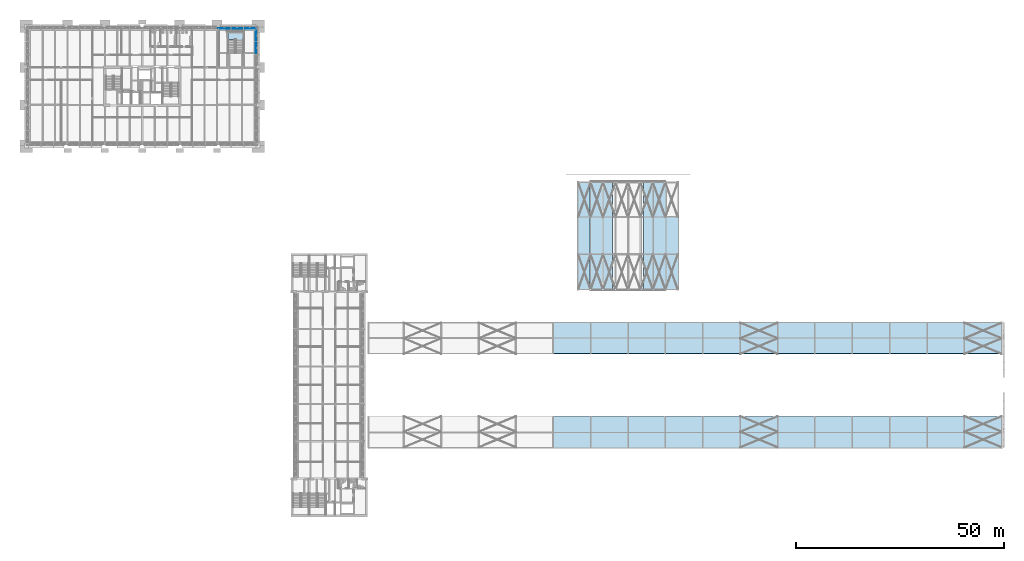
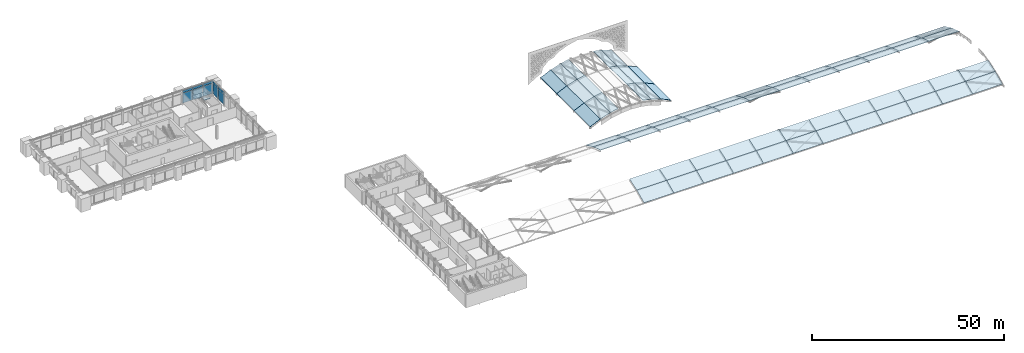
# One storey, part 20 of 54: 66 slabs, 10 plates, 3 elements without a shape of their own.
"""IFC4 building model written with IfcOpenShell, lengths in metres."""

from ifc_helpers import new_model, si_unit, direction, frame, origin, origin_2d, place, context, subcontext, project, spatial, polyline, rectangle, outline, extrude, material, layer, layer_set, type_object, element, aggregate, save


model = new_model("IFC4")

# Units and contexts
model_context = context("Model", 3, precision=1e-05, world=origin(), true_north=direction((0.0, 1.0)))
body_context = subcontext(model_context, "Body", "Model", "MODEL_VIEW")
ifc_project = project(units=[si_unit("LENGTHUNIT", "METRE"), si_unit("AREAUNIT", "SQUARE_METRE"), si_unit("VOLUMEUNIT", "CUBIC_METRE"), si_unit("PLANEANGLEUNIT", "RADIAN"), si_unit("MASSUNIT", "GRAM", prefix="KILO")], contexts=[model_context])

# Site, building, storey
site_placement = place(None, origin())
site = spatial("IfcSite", under=ifc_project, at=site_placement, CompositionType="ELEMENT")
building_placement = place(site_placement, origin())
building = spatial("IfcBuilding", under=site, at=building_placement, Name="Baradari Gate Terminus", CompositionType="ELEMENT")
storey_placement = place(building_placement, frame((0.0, 0.0, 15.89990234375)))
storey = spatial("IfcBuildingStorey", under=building, at=storey_placement, Name="L03", CompositionType="ELEMENT", Elevation=15.89990234375)

# Curtain wall, plates
ifc_material_1 = material(Name="Aluminium 6063-T6", Category="aluminium")
curtain_wall_type = type_object("IfcCurtainWallType", Name="Curtain wall CW-1 block unitised, zone L02-L05", PredefinedType="NOTDEFINED", material=ifc_material_1)
curtain_wall_1_placement = place(storey_placement, origin())
curtain_wall_1 = element("IfcCurtainWall", 1, at=curtain_wall_1_placement, inside=storey, type_object=curtain_wall_type, Name="Curtain wall CW-1 Operations block N face L03", PredefinedType="NOTDEFINED")
ifc_material_2 = material(Name="Insulating glass unit", Category="glass")
ifc_layer_1 = layer(ifc_material_2, 0.030029296875)
ifc_layer_set_1 = layer_set([ifc_layer_1], Name="Insulating glass unit")
plate_type_1 = type_object("IfcPlateType", Name="Curtain wall glazing unit CP-1 30", PredefinedType="CURTAIN_PANEL", material=ifc_layer_set_1)
plate_1_placement = place(storey_placement, frame((55.83935546875, 144.3701171875, 0.06494140625), z_axis=(0.0, 0.0, 1.0), x_axis=(1.0, 0.0, 0.0)))
plate_1 = element("IfcPlate", 2, at=plate_1_placement, type_object=plate_type_1, Name="CW-1 panel 16.1", PredefinedType="CURTAIN_PANEL", context=body_context, shape_type="SweptSolid", body=[
    extrude(rectangle(XDim=2.9873046875, YDim=0.030029296875, at=origin_2d()), origin(), (0.0, 0.0, 1.0), 3.202392578125),
])
plate_2_placement = place(storey_placement, frame((58.8916015625, 144.3701171875, 0.06494140625), z_axis=(0.0, 0.0, 1.0), x_axis=(1.0, 0.0, 0.0)))
plate_2 = element("IfcPlate", 3, at=plate_2_placement, type_object=plate_type_1, Name="CW-1 panel 17.1", PredefinedType="CURTAIN_PANEL", context=body_context, shape_type="SweptSolid", body=[
    extrude(rectangle(XDim=2.9873046875, YDim=0.030029296875, at=origin_2d()), origin(), (0.0, 0.0, 1.0), 3.202392578125),
])
plate_3_placement = place(storey_placement, frame((61.927734375, 144.3701171875, 0.06494140625), z_axis=(0.0, 0.0, 1.0), x_axis=(1.0, 0.0, 0.0)))
plate_3 = element("IfcPlate", 4, at=plate_3_placement, type_object=plate_type_1, Name="CW-1 panel 18.1", PredefinedType="CURTAIN_PANEL", context=body_context, shape_type="SweptSolid", body=[
    extrude(rectangle(XDim=2.954833984375, YDim=0.030029296875, at=origin_2d()), origin(), (0.0, 0.0, 1.0), 3.202392578125),
])

curtain_wall_2_placement = place(storey_placement, origin())
curtain_wall_2 = element("IfcCurtainWall", 5, at=curtain_wall_2_placement, inside=storey, type_object=curtain_wall_type, Name="Curtain wall CW-1 Operations block E face L03", PredefinedType="NOTDEFINED")
plate_4_placement = place(storey_placement, frame((63.3701171875, 139.679931640625, 0.06494140625), z_axis=(0.0, 0.0, 1.0), x_axis=(0.0, 1.0, 0.0)))
plate_4 = element("IfcPlate", 6, at=plate_4_placement, type_object=plate_type_1, Name="CW-1 panel 8.1", PredefinedType="CURTAIN_PANEL", context=body_context, shape_type="SweptSolid", body=[
    extrude(rectangle(XDim=2.9951171875, YDim=0.030029296875, at=origin_2d()), origin(), (0.0, 0.0, 1.0), 3.202392578125),
])
plate_5_placement = place(storey_placement, frame((63.3701171875, 142.7236328125, 0.06494140625), z_axis=(0.0, 0.0, 1.0), x_axis=(0.0, 1.0, 0.0)))
plate_5 = element("IfcPlate", 7, at=plate_5_placement, type_object=plate_type_1, Name="CW-1 panel 9.1", PredefinedType="CURTAIN_PANEL", context=body_context, shape_type="SweptSolid", body=[
    extrude(rectangle(XDim=2.96240234375, YDim=0.030029296875, at=origin_2d()), origin(), (0.0, 0.0, 1.0), 3.202392578125),
])

# Plate
ifc_material_3 = material(Name="Back-painted glass", Category="glass")
ifc_layer_2 = layer(ifc_material_3, 0.070068359375)
ifc_layer_set_2 = layer_set([ifc_layer_2], Name="Back-painted glass")
plate_type_2 = type_object("IfcPlateType", Name="Curtain wall spandrel panel CP-S1 70", PredefinedType="CURTAIN_PANEL", material=ifc_layer_set_2)
plate_6_placement = place(storey_placement, frame((55.83935546875, 144.3701171875, 3.33251953125), z_axis=(0.0, 0.0, 1.0), x_axis=(1.0, 0.0, 0.0)))
plate_6 = element("IfcPlate", 8, at=plate_6_placement, type_object=plate_type_2, Name="CW-1 spandrel panel 16.2", PredefinedType="CURTAIN_PANEL", context=body_context, shape_type="SweptSolid", body=[
    extrude(rectangle(XDim=2.9873046875, YDim=0.070068359375, at=origin_2d()), origin(), (0.0, 0.0, 1.0), 0.802490234375),
])

plate_7_placement = place(storey_placement, frame((58.8916015625, 144.3701171875, 3.33251953125), z_axis=(0.0, 0.0, 1.0), x_axis=(1.0, 0.0, 0.0)))
plate_7 = element("IfcPlate", 9, at=plate_7_placement, type_object=plate_type_2, Name="CW-1 spandrel panel 17.2", PredefinedType="CURTAIN_PANEL", context=body_context, shape_type="SweptSolid", body=[
    extrude(rectangle(XDim=2.9873046875, YDim=0.070068359375, at=origin_2d()), origin(), (0.0, 0.0, 1.0), 0.802490234375),
])

plate_8_placement = place(storey_placement, frame((61.927734375, 144.3701171875, 3.33251953125), z_axis=(0.0, 0.0, 1.0), x_axis=(1.0, 0.0, 0.0)))
plate_8 = element("IfcPlate", 10, at=plate_8_placement, type_object=plate_type_2, Name="CW-1 spandrel panel 18.2", PredefinedType="CURTAIN_PANEL", context=body_context, shape_type="SweptSolid", body=[
    extrude(rectangle(XDim=2.954833984375, YDim=0.070068359375, at=origin_2d()), origin(), (0.0, 0.0, 1.0), 0.802490234375),
])

aggregate(curtain_wall_1, [plate_1, plate_6, plate_2, plate_7, plate_3, plate_8])

plate_9_placement = place(storey_placement, frame((63.3701171875, 139.679931640625, 3.33251953125), z_axis=(0.0, 0.0, 1.0), x_axis=(0.0, 1.0, 0.0)))
plate_9 = element("IfcPlate", 11, at=plate_9_placement, type_object=plate_type_2, Name="CW-1 spandrel panel 8.2", PredefinedType="CURTAIN_PANEL", context=body_context, shape_type="SweptSolid", body=[
    extrude(rectangle(XDim=2.9951171875, YDim=0.070068359375, at=origin_2d()), origin(), (0.0, 0.0, 1.0), 0.802490234375),
])

plate_10_placement = place(storey_placement, frame((63.3701171875, 142.7236328125, 3.33251953125), z_axis=(0.0, 0.0, 1.0), x_axis=(0.0, 1.0, 0.0)))
plate_10 = element("IfcPlate", 12, at=plate_10_placement, type_object=plate_type_2, Name="CW-1 spandrel panel 9.2", PredefinedType="CURTAIN_PANEL", context=body_context, shape_type="SweptSolid", body=[
    extrude(rectangle(XDim=2.96240234375, YDim=0.070068359375, at=origin_2d()), origin(), (0.0, 0.0, 1.0), 0.802490234375),
])

aggregate(curtain_wall_2, [plate_4, plate_9, plate_5, plate_10])

# Slabs
ifc_material_4 = material(Name="Aluminium", Category="aluminium")
ifc_layer_3 = layer(ifc_material_4, 0.1201171875)
ifc_layer_set_3 = layer_set([ifc_layer_3], Name="Aluminium")
slab_type_1 = type_object("IfcSlabType", Name="Hall vault roof panel", PredefinedType="ROOF", material=ifc_layer_set_3)
slab_1_placement = place(storey_placement, frame((140.826416015625, 81.550048828125, 0.362548828125), z_axis=(-0.421483999312, 0.0, 0.906835838685), x_axis=(0.0, 1.0, 0.0)))
element("IfcSlab", 13, at=slab_1_placement, inside=storey, type_object=slab_type_1, Name="RF/L03/VR1-RP02", PredefinedType="ROOF", context=body_context, shape_type="SweptSolid", body=[
    extrude(outline(polyline([(0.0, 0.0), (8.449951171875, 0.0), (8.449951171875, -3.3485896390599805), (0.0, -3.3485896390599805), (0.0, 0.0)])), origin(), (0.0, 0.0, -1.0), 0.1201171875),
])
slab_2_placement = place(storey_placement, frame((143.863037109375, 81.550048828125, 1.77392578125), z_axis=(-0.315039265415, 0.0, 0.949078638073), x_axis=(0.0, 1.0, 0.0)))
element("IfcSlab", 14, at=slab_2_placement, inside=storey, type_object=slab_type_1, Name="RF/L03/VR1-RP03", PredefinedType="ROOF", context=body_context, shape_type="SweptSolid", body=[
    extrude(outline(polyline([(0.0, 0.0), (8.449951171875, 0.0), (8.449951171875, -3.2052056230829677), (0.0, -3.2052056230829677), (0.0, 0.0)])), origin(), (0.0, 0.0, -1.0), 0.1201171875),
])
for number, where, z_axis, x_axis, name in (
    (15, (146.905029296875, 81.550048828125, 2.78369140625), (-0.195240625719, 0.0, 0.980755371165), (0.0, 1.0, 0.0), "RF/L03/VR1-RP04"),
    (16, (156.72802734375, 81.550048828125, 3.2548828125), (0.195240625719, 0.0, 0.980755371165), (0.0, 1.0, 0.0), "RF/L03/VR1-RP07"),
):
    element("IfcSlab", number, at=place(storey_placement, frame(where, z_axis=z_axis, x_axis=x_axis)), inside=storey, type_object=slab_type_1, Name=name, PredefinedType="ROOF", context=body_context, shape_type="SweptSolid", body=[
        extrude(outline(polyline([(0.0, 0.0), (8.449951171875, 0.0), (8.449951171875, -2.4133881179398524), (0.0, -2.4133881179398524), (0.0, 0.0)])), origin(), (0.0, 0.0, -1.0), 0.1201171875),
    ])
slab_3_placement = place(storey_placement, frame((159.094970703125, 81.550048828125, 2.78369140625), z_axis=(0.315039265415, 0.0, 0.949078638073), x_axis=(0.0, 1.0, 0.0)))
element("IfcSlab", 17, at=slab_3_placement, inside=storey, type_object=slab_type_1, Name="RF/L03/VR1-RP08", PredefinedType="ROOF", context=body_context, shape_type="SweptSolid", body=[
    extrude(outline(polyline([(0.0, 0.0), (8.449951171875, 0.0), (8.449951171875, -3.2052056230829677), (0.0, -3.2052056230829677), (0.0, 0.0)])), origin(), (0.0, 0.0, -1.0), 0.1201171875),
])
slab_4_placement = place(storey_placement, frame((162.136962890625, 81.550048828125, 1.77392578125), z_axis=(0.421483999312, 0.0, 0.906835838685), x_axis=(0.0, 1.0, 0.0)))
element("IfcSlab", 18, at=slab_4_placement, inside=storey, type_object=slab_type_1, Name="RF/L03/VR1-RP09", PredefinedType="ROOF", context=body_context, shape_type="SweptSolid", body=[
    extrude(outline(polyline([(0.0, 0.0), (8.449951171875, 0.0), (8.449951171875, -3.3485896390599805), (0.0, -3.3485896390599805), (0.0, 0.0)])), origin(), (0.0, 0.0, -1.0), 0.1201171875),
])
slab_5_placement = place(storey_placement, frame((140.826416015625, 90.0, 0.362548828125), z_axis=(-0.421483999312, 0.0, 0.906835838685), x_axis=(0.0, 1.0, 0.0)))
element("IfcSlab", 19, at=slab_5_placement, inside=storey, type_object=slab_type_1, Name="RF/L03/VR2-RP02", PredefinedType="ROOF", context=body_context, shape_type="SweptSolid", body=[
    extrude(outline(polyline([(0.0, 0.0), (9.0, 0.0), (9.0, -3.3485896390599805), (0.0, -3.3485896390599805), (0.0, 0.0)])), origin(), (0.0, 0.0, -1.0), 0.1201171875),
])
slab_6_placement = place(storey_placement, frame((143.863037109375, 90.0, 1.77392578125), z_axis=(-0.315039265415, 0.0, 0.949078638073), x_axis=(0.0, 1.0, 0.0)))
element("IfcSlab", 20, at=slab_6_placement, inside=storey, type_object=slab_type_1, Name="RF/L03/VR2-RP03", PredefinedType="ROOF", context=body_context, shape_type="SweptSolid", body=[
    extrude(outline(polyline([(0.0, 0.0), (9.0, 0.0), (9.0, -3.2052056230829677), (0.0, -3.2052056230829677), (0.0, 0.0)])), origin(), (0.0, 0.0, -1.0), 0.1201171875),
])
for number, where, z_axis, x_axis, name in (
    (21, (146.905029296875, 90.0, 2.78369140625), (-0.195240625719, 0.0, 0.980755371165), (0.0, 1.0, 0.0), "RF/L03/VR2-RP04"),
    (22, (156.72802734375, 90.0, 3.2548828125), (0.195240625719, 0.0, 0.980755371165), (0.0, 1.0, 0.0), "RF/L03/VR2-RP07"),
):
    element("IfcSlab", number, at=place(storey_placement, frame(where, z_axis=z_axis, x_axis=x_axis)), inside=storey, type_object=slab_type_1, Name=name, PredefinedType="ROOF", context=body_context, shape_type="SweptSolid", body=[
        extrude(outline(polyline([(0.0, 0.0), (9.0, 0.0), (9.0, -2.4133881179398524), (0.0, -2.4133881179398524), (0.0, 0.0)])), origin(), (0.0, 0.0, -1.0), 0.1201171875),
    ])
slab_7_placement = place(storey_placement, frame((159.094970703125, 90.0, 2.78369140625), z_axis=(0.315039265415, 0.0, 0.949078638073), x_axis=(0.0, 1.0, 0.0)))
element("IfcSlab", 23, at=slab_7_placement, inside=storey, type_object=slab_type_1, Name="RF/L03/VR2-RP08", PredefinedType="ROOF", context=body_context, shape_type="SweptSolid", body=[
    extrude(outline(polyline([(0.0, 0.0), (9.0, 0.0), (9.0, -3.2052056230829677), (0.0, -3.2052056230829677), (0.0, 0.0)])), origin(), (0.0, 0.0, -1.0), 0.1201171875),
])
slab_8_placement = place(storey_placement, frame((162.136962890625, 90.0, 1.77392578125), z_axis=(0.421483999312, 0.0, 0.906835838685), x_axis=(0.0, 1.0, 0.0)))
element("IfcSlab", 24, at=slab_8_placement, inside=storey, type_object=slab_type_1, Name="RF/L03/VR2-RP09", PredefinedType="ROOF", context=body_context, shape_type="SweptSolid", body=[
    extrude(outline(polyline([(0.0, 0.0), (9.0, 0.0), (9.0, -3.3485896390599805), (0.0, -3.3485896390599805), (0.0, 0.0)])), origin(), (0.0, 0.0, -1.0), 0.1201171875),
])
slab_9_placement = place(storey_placement, frame((140.826416015625, 99.0, 0.362548828125), z_axis=(-0.421483999312, 0.0, 0.906835838685), x_axis=(0.0, 1.0, 0.0)))
element("IfcSlab", 25, at=slab_9_placement, inside=storey, type_object=slab_type_1, Name="RF/L03/VR3-RP02", PredefinedType="ROOF", context=body_context, shape_type="SweptSolid", body=[
    extrude(outline(polyline([(0.0, 0.0), (8.39990234375, 0.0), (8.39990234375, -3.3485896390599814), (0.0, -3.3485896390599814), (0.0, 0.0)])), origin(), (0.0, 0.0, -1.0), 0.1201171875),
])
slab_10_placement = place(storey_placement, frame((143.863037109375, 99.0, 1.77392578125), z_axis=(-0.315039265415, 0.0, 0.949078638073), x_axis=(0.0, 1.0, 0.0)))
element("IfcSlab", 26, at=slab_10_placement, inside=storey, type_object=slab_type_1, Name="RF/L03/VR3-RP03", PredefinedType="ROOF", context=body_context, shape_type="SweptSolid", body=[
    extrude(outline(polyline([(0.0, 0.0), (8.39990234375, 0.0), (8.39990234375, -3.2052056230829677), (0.0, -3.2052056230829677), (0.0, 0.0)])), origin(), (0.0, 0.0, -1.0), 0.1201171875),
])
for number, where, z_axis, x_axis, name in (
    (27, (146.905029296875, 99.0, 2.78369140625), (-0.195240625719, 0.0, 0.980755371165), (0.0, 1.0, 0.0), "RF/L03/VR3-RP04"),
    (28, (156.72802734375, 99.0, 3.2548828125), (0.195240625719, 0.0, 0.980755371165), (0.0, 1.0, 0.0), "RF/L03/VR3-RP07"),
):
    element("IfcSlab", number, at=place(storey_placement, frame(where, z_axis=z_axis, x_axis=x_axis)), inside=storey, type_object=slab_type_1, Name=name, PredefinedType="ROOF", context=body_context, shape_type="SweptSolid", body=[
        extrude(outline(polyline([(0.0, 0.0), (8.39990234375, 0.0), (8.39990234375, -2.4133881179398524), (0.0, -2.4133881179398524), (0.0, 0.0)])), origin(), (0.0, 0.0, -1.0), 0.1201171875),
    ])
slab_11_placement = place(storey_placement, frame((159.094970703125, 99.0, 2.78369140625), z_axis=(0.315039265415, 0.0, 0.949078638073), x_axis=(0.0, 1.0, 0.0)))
element("IfcSlab", 29, at=slab_11_placement, inside=storey, type_object=slab_type_1, Name="RF/L03/VR3-RP08", PredefinedType="ROOF", context=body_context, shape_type="SweptSolid", body=[
    extrude(outline(polyline([(0.0, 0.0), (8.39990234375, 0.0), (8.39990234375, -3.2052056230829677), (0.0, -3.2052056230829677), (0.0, 0.0)])), origin(), (0.0, 0.0, -1.0), 0.1201171875),
])
ifc_material_5 = material(Name="Aluminium", Category="aluminium")
ifc_layer_4 = layer(ifc_material_5, 0.1201171875)
ifc_layer_set_4 = layer_set([ifc_layer_4], Name="Aluminium")
slab_type_2 = type_object("IfcSlabType", Name="Shed roof panel", PredefinedType="ROOF", material=ifc_layer_set_4)
slab_12_placement = place(storey_placement, frame((135.0, 43.319091796875, 1.390625), z_axis=(0.0, -0.421791081553, 0.906693048127), x_axis=(1.0, 0.0, 0.0)))
element("IfcSlab", 30, at=slab_12_placement, inside=storey, type_object=slab_type_2, Name="RF/L03/B144-RP02", PredefinedType="ROOF", context=body_context, shape_type="SweptSolid", body=[
    extrude(outline(polyline([(0.0, 0.0), (9.0, 0.0), (9.0, 4.177914394871225), (0.0, 4.177914394871225), (0.0, 0.0)])), origin(), (0.0, 0.0, -1.0), 0.1201171875),
])
for number, where, z_axis, x_axis, name in (
    (31, (135.0, 47.107177734375, 3.15283203125), (0.0, -0.31523827596, 0.949012554906), (1.0, 0.0, 0.0), "RF/L03/B144-RP03"),
    (32, (135.0, 66.098876953125, 4.4130859375), (0.0, 0.31523827596, 0.949012554906), (1.0, 0.0, 0.0), "RF/L03/B144-RP08"),
):
    element("IfcSlab", number, at=place(storey_placement, frame(where, z_axis=z_axis, x_axis=x_axis)), inside=storey, type_object=slab_type_2, Name=name, PredefinedType="ROOF", context=body_context, shape_type="SweptSolid", body=[
        extrude(outline(polyline([(0.0, 0.0), (9.0, 0.0), (9.0, 3.9977820028684787), (0.0, 3.9977820028684787), (0.0, 0.0)])), origin(), (0.0, 0.0, -1.0), 0.1201171875),
    ])
for number, where, z_axis, x_axis, name in (
    (33, (135.0, 69.892822265625, 3.15283203125), (0.0, 0.421791081553, 0.906693048127), (1.0, 0.0, 0.0), "RF/L03/B144-RP09"),
    (34, (144.0, 43.319091796875, 1.390625), (0.0, -0.421791081553, 0.906693048127), (1.0, 0.0, 0.0), "RF/L03/B153-RP02"),
):
    element("IfcSlab", number, at=place(storey_placement, frame(where, z_axis=z_axis, x_axis=x_axis)), inside=storey, type_object=slab_type_2, Name=name, PredefinedType="ROOF", context=body_context, shape_type="SweptSolid", body=[
        extrude(outline(polyline([(0.0, 0.0), (9.0, 0.0), (9.0, 4.177914394871225), (0.0, 4.177914394871225), (0.0, 0.0)])), origin(), (0.0, 0.0, -1.0), 0.1201171875),
    ])
for number, where, z_axis, x_axis, name in (
    (35, (144.0, 47.107177734375, 3.15283203125), (0.0, -0.31523827596, 0.949012554906), (1.0, 0.0, 0.0), "RF/L03/B153-RP03"),
    (36, (144.0, 66.098876953125, 4.4130859375), (0.0, 0.31523827596, 0.949012554906), (1.0, 0.0, 0.0), "RF/L03/B153-RP08"),
):
    element("IfcSlab", number, at=place(storey_placement, frame(where, z_axis=z_axis, x_axis=x_axis)), inside=storey, type_object=slab_type_2, Name=name, PredefinedType="ROOF", context=body_context, shape_type="SweptSolid", body=[
        extrude(outline(polyline([(0.0, 0.0), (9.0, 0.0), (9.0, 3.9977820028684787), (0.0, 3.9977820028684787), (0.0, 0.0)])), origin(), (0.0, 0.0, -1.0), 0.1201171875),
    ])
for number, where, z_axis, x_axis, name in (
    (37, (144.0, 69.892822265625, 3.15283203125), (0.0, 0.421791081553, 0.906693048127), (1.0, 0.0, 0.0), "RF/L03/B153-RP09"),
    (38, (153.0, 43.319091796875, 1.390625), (0.0, -0.421791081553, 0.906693048127), (1.0, 0.0, 0.0), "RF/L03/B162-RP02"),
):
    element("IfcSlab", number, at=place(storey_placement, frame(where, z_axis=z_axis, x_axis=x_axis)), inside=storey, type_object=slab_type_2, Name=name, PredefinedType="ROOF", context=body_context, shape_type="SweptSolid", body=[
        extrude(outline(polyline([(0.0, 0.0), (9.0, 0.0), (9.0, 4.177914394871225), (0.0, 4.177914394871225), (0.0, 0.0)])), origin(), (0.0, 0.0, -1.0), 0.1201171875),
    ])
for number, where, z_axis, x_axis, name in (
    (39, (153.0, 47.107177734375, 3.15283203125), (0.0, -0.31523827596, 0.949012554906), (1.0, 0.0, 0.0), "RF/L03/B162-RP03"),
    (40, (153.0, 66.098876953125, 4.4130859375), (0.0, 0.31523827596, 0.949012554906), (1.0, 0.0, 0.0), "RF/L03/B162-RP08"),
):
    element("IfcSlab", number, at=place(storey_placement, frame(where, z_axis=z_axis, x_axis=x_axis)), inside=storey, type_object=slab_type_2, Name=name, PredefinedType="ROOF", context=body_context, shape_type="SweptSolid", body=[
        extrude(outline(polyline([(0.0, 0.0), (9.0, 0.0), (9.0, 3.9977820028684787), (0.0, 3.9977820028684787), (0.0, 0.0)])), origin(), (0.0, 0.0, -1.0), 0.1201171875),
    ])
for number, where, z_axis, x_axis, name in (
    (41, (153.0, 69.892822265625, 3.15283203125), (0.0, 0.421791081553, 0.906693048127), (1.0, 0.0, 0.0), "RF/L03/B162-RP09"),
    (42, (162.0, 43.319091796875, 1.390625), (0.0, -0.421791081553, 0.906693048127), (1.0, 0.0, 0.0), "RF/L03/B171-RP02"),
):
    element("IfcSlab", number, at=place(storey_placement, frame(where, z_axis=z_axis, x_axis=x_axis)), inside=storey, type_object=slab_type_2, Name=name, PredefinedType="ROOF", context=body_context, shape_type="SweptSolid", body=[
        extrude(outline(polyline([(0.0, 0.0), (9.0, 0.0), (9.0, 4.177914394871225), (0.0, 4.177914394871225), (0.0, 0.0)])), origin(), (0.0, 0.0, -1.0), 0.1201171875),
    ])
for number, where, z_axis, x_axis, name in (
    (43, (162.0, 47.107177734375, 3.15283203125), (0.0, -0.31523827596, 0.949012554906), (1.0, 0.0, 0.0), "RF/L03/B171-RP03"),
    (44, (162.0, 66.098876953125, 4.4130859375), (0.0, 0.31523827596, 0.949012554906), (1.0, 0.0, 0.0), "RF/L03/B171-RP08"),
):
    element("IfcSlab", number, at=place(storey_placement, frame(where, z_axis=z_axis, x_axis=x_axis)), inside=storey, type_object=slab_type_2, Name=name, PredefinedType="ROOF", context=body_context, shape_type="SweptSolid", body=[
        extrude(outline(polyline([(0.0, 0.0), (9.0, 0.0), (9.0, 3.9977820028684787), (0.0, 3.9977820028684787), (0.0, 0.0)])), origin(), (0.0, 0.0, -1.0), 0.1201171875),
    ])
for number, where, z_axis, x_axis, name in (
    (45, (162.0, 69.892822265625, 3.15283203125), (0.0, 0.421791081553, 0.906693048127), (1.0, 0.0, 0.0), "RF/L03/B171-RP09"),
    (46, (171.0, 43.319091796875, 1.390625), (0.0, -0.421791081553, 0.906693048127), (1.0, 0.0, 0.0), "RF/L03/B180-RP02"),
):
    element("IfcSlab", number, at=place(storey_placement, frame(where, z_axis=z_axis, x_axis=x_axis)), inside=storey, type_object=slab_type_2, Name=name, PredefinedType="ROOF", context=body_context, shape_type="SweptSolid", body=[
        extrude(outline(polyline([(0.0, 0.0), (9.0, 0.0), (9.0, 4.177914394871225), (0.0, 4.177914394871225), (0.0, 0.0)])), origin(), (0.0, 0.0, -1.0), 0.1201171875),
    ])
for number, where, z_axis, x_axis, name in (
    (47, (171.0, 47.107177734375, 3.15283203125), (0.0, -0.31523827596, 0.949012554906), (1.0, 0.0, 0.0), "RF/L03/B180-RP03"),
    (48, (171.0, 66.098876953125, 4.4130859375), (0.0, 0.31523827596, 0.949012554906), (1.0, 0.0, 0.0), "RF/L03/B180-RP08"),
):
    element("IfcSlab", number, at=place(storey_placement, frame(where, z_axis=z_axis, x_axis=x_axis)), inside=storey, type_object=slab_type_2, Name=name, PredefinedType="ROOF", context=body_context, shape_type="SweptSolid", body=[
        extrude(outline(polyline([(0.0, 0.0), (9.0, 0.0), (9.0, 3.9977820028684787), (0.0, 3.9977820028684787), (0.0, 0.0)])), origin(), (0.0, 0.0, -1.0), 0.1201171875),
    ])
for number, where, z_axis, x_axis, name in (
    (49, (171.0, 69.892822265625, 3.15283203125), (0.0, 0.421791081553, 0.906693048127), (1.0, 0.0, 0.0), "RF/L03/B180-RP09"),
    (50, (180.0, 43.319091796875, 1.390625), (0.0, -0.421791081553, 0.906693048127), (1.0, 0.0, 0.0), "RF/L03/B189-RP02"),
):
    element("IfcSlab", number, at=place(storey_placement, frame(where, z_axis=z_axis, x_axis=x_axis)), inside=storey, type_object=slab_type_2, Name=name, PredefinedType="ROOF", context=body_context, shape_type="SweptSolid", body=[
        extrude(outline(polyline([(0.0, 0.0), (9.0, 0.0), (9.0, 4.177914394871225), (0.0, 4.177914394871225), (0.0, 0.0)])), origin(), (0.0, 0.0, -1.0), 0.1201171875),
    ])
for number, where, z_axis, x_axis, name in (
    (51, (180.0, 47.107177734375, 3.15283203125), (0.0, -0.31523827596, 0.949012554906), (1.0, 0.0, 0.0), "RF/L03/B189-RP03"),
    (52, (180.0, 66.098876953125, 4.4130859375), (0.0, 0.31523827596, 0.949012554906), (1.0, 0.0, 0.0), "RF/L03/B189-RP08"),
):
    element("IfcSlab", number, at=place(storey_placement, frame(where, z_axis=z_axis, x_axis=x_axis)), inside=storey, type_object=slab_type_2, Name=name, PredefinedType="ROOF", context=body_context, shape_type="SweptSolid", body=[
        extrude(outline(polyline([(0.0, 0.0), (9.0, 0.0), (9.0, 3.9977820028684787), (0.0, 3.9977820028684787), (0.0, 0.0)])), origin(), (0.0, 0.0, -1.0), 0.1201171875),
    ])
for number, where, z_axis, x_axis, name in (
    (53, (180.0, 69.892822265625, 3.15283203125), (0.0, 0.421791081553, 0.906693048127), (1.0, 0.0, 0.0), "RF/L03/B189-RP09"),
    (54, (189.0, 43.319091796875, 1.390625), (0.0, -0.421791081553, 0.906693048127), (1.0, 0.0, 0.0), "RF/L03/B198-RP02"),
):
    element("IfcSlab", number, at=place(storey_placement, frame(where, z_axis=z_axis, x_axis=x_axis)), inside=storey, type_object=slab_type_2, Name=name, PredefinedType="ROOF", context=body_context, shape_type="SweptSolid", body=[
        extrude(outline(polyline([(0.0, 0.0), (9.0, 0.0), (9.0, 4.177914394871225), (0.0, 4.177914394871225), (0.0, 0.0)])), origin(), (0.0, 0.0, -1.0), 0.1201171875),
    ])
for number, where, z_axis, x_axis, name in (
    (55, (189.0, 47.107177734375, 3.15283203125), (0.0, -0.31523827596, 0.949012554906), (1.0, 0.0, 0.0), "RF/L03/B198-RP03"),
    (56, (189.0, 66.098876953125, 4.4130859375), (0.0, 0.31523827596, 0.949012554906), (1.0, 0.0, 0.0), "RF/L03/B198-RP08"),
):
    element("IfcSlab", number, at=place(storey_placement, frame(where, z_axis=z_axis, x_axis=x_axis)), inside=storey, type_object=slab_type_2, Name=name, PredefinedType="ROOF", context=body_context, shape_type="SweptSolid", body=[
        extrude(outline(polyline([(0.0, 0.0), (9.0, 0.0), (9.0, 3.9977820028684787), (0.0, 3.9977820028684787), (0.0, 0.0)])), origin(), (0.0, 0.0, -1.0), 0.1201171875),
    ])
for number, where, z_axis, x_axis, name in (
    (57, (189.0, 69.892822265625, 3.15283203125), (0.0, 0.421791081553, 0.906693048127), (1.0, 0.0, 0.0), "RF/L03/B198-RP09"),
    (58, (198.0, 43.319091796875, 1.390625), (0.0, -0.421791081553, 0.906693048127), (1.0, 0.0, 0.0), "RF/L03/B207-RP02"),
):
    element("IfcSlab", number, at=place(storey_placement, frame(where, z_axis=z_axis, x_axis=x_axis)), inside=storey, type_object=slab_type_2, Name=name, PredefinedType="ROOF", context=body_context, shape_type="SweptSolid", body=[
        extrude(outline(polyline([(0.0, 0.0), (9.0, 0.0), (9.0, 4.177914394871225), (0.0, 4.177914394871225), (0.0, 0.0)])), origin(), (0.0, 0.0, -1.0), 0.1201171875),
    ])
for number, where, z_axis, x_axis, name in (
    (59, (198.0, 47.107177734375, 3.15283203125), (0.0, -0.31523827596, 0.949012554906), (1.0, 0.0, 0.0), "RF/L03/B207-RP03"),
    (60, (198.0, 66.098876953125, 4.4130859375), (0.0, 0.31523827596, 0.949012554906), (1.0, 0.0, 0.0), "RF/L03/B207-RP08"),
):
    element("IfcSlab", number, at=place(storey_placement, frame(where, z_axis=z_axis, x_axis=x_axis)), inside=storey, type_object=slab_type_2, Name=name, PredefinedType="ROOF", context=body_context, shape_type="SweptSolid", body=[
        extrude(outline(polyline([(0.0, 0.0), (9.0, 0.0), (9.0, 3.9977820028684787), (0.0, 3.9977820028684787), (0.0, 0.0)])), origin(), (0.0, 0.0, -1.0), 0.1201171875),
    ])
for number, where, z_axis, x_axis, name in (
    (61, (198.0, 69.892822265625, 3.15283203125), (0.0, 0.421791081553, 0.906693048127), (1.0, 0.0, 0.0), "RF/L03/B207-RP09"),
    (62, (207.0, 43.319091796875, 1.390625), (0.0, -0.421791081553, 0.906693048127), (1.0, 0.0, 0.0), "RF/L03/B216-RP02"),
):
    element("IfcSlab", number, at=place(storey_placement, frame(where, z_axis=z_axis, x_axis=x_axis)), inside=storey, type_object=slab_type_2, Name=name, PredefinedType="ROOF", context=body_context, shape_type="SweptSolid", body=[
        extrude(outline(polyline([(0.0, 0.0), (9.0, 0.0), (9.0, 4.177914394871225), (0.0, 4.177914394871225), (0.0, 0.0)])), origin(), (0.0, 0.0, -1.0), 0.1201171875),
    ])
for number, where, z_axis, x_axis, name in (
    (63, (207.0, 47.107177734375, 3.15283203125), (0.0, -0.31523827596, 0.949012554906), (1.0, 0.0, 0.0), "RF/L03/B216-RP03"),
    (64, (207.0, 66.098876953125, 4.4130859375), (0.0, 0.31523827596, 0.949012554906), (1.0, 0.0, 0.0), "RF/L03/B216-RP08"),
):
    element("IfcSlab", number, at=place(storey_placement, frame(where, z_axis=z_axis, x_axis=x_axis)), inside=storey, type_object=slab_type_2, Name=name, PredefinedType="ROOF", context=body_context, shape_type="SweptSolid", body=[
        extrude(outline(polyline([(0.0, 0.0), (9.0, 0.0), (9.0, 3.9977820028684787), (0.0, 3.9977820028684787), (0.0, 0.0)])), origin(), (0.0, 0.0, -1.0), 0.1201171875),
    ])
for number, where, z_axis, x_axis, name in (
    (65, (207.0, 69.892822265625, 3.15283203125), (0.0, 0.421791081553, 0.906693048127), (1.0, 0.0, 0.0), "RF/L03/B216-RP09"),
    (66, (216.0, 43.319091796875, 1.390625), (0.0, -0.421791081553, 0.906693048127), (1.0, 0.0, 0.0), "RF/L03/B225-RP02"),
):
    element("IfcSlab", number, at=place(storey_placement, frame(where, z_axis=z_axis, x_axis=x_axis)), inside=storey, type_object=slab_type_2, Name=name, PredefinedType="ROOF", context=body_context, shape_type="SweptSolid", body=[
        extrude(outline(polyline([(0.0, 0.0), (9.0, 0.0), (9.0, 4.177914394871225), (0.0, 4.177914394871225), (0.0, 0.0)])), origin(), (0.0, 0.0, -1.0), 0.1201171875),
    ])
for number, where, z_axis, x_axis, name in (
    (67, (216.0, 47.107177734375, 3.15283203125), (0.0, -0.31523827596, 0.949012554906), (1.0, 0.0, 0.0), "RF/L03/B225-RP03"),
    (68, (216.0, 66.098876953125, 4.4130859375), (0.0, 0.31523827596, 0.949012554906), (1.0, 0.0, 0.0), "RF/L03/B225-RP08"),
):
    element("IfcSlab", number, at=place(storey_placement, frame(where, z_axis=z_axis, x_axis=x_axis)), inside=storey, type_object=slab_type_2, Name=name, PredefinedType="ROOF", context=body_context, shape_type="SweptSolid", body=[
        extrude(outline(polyline([(0.0, 0.0), (9.0, 0.0), (9.0, 3.9977820028684787), (0.0, 3.9977820028684787), (0.0, 0.0)])), origin(), (0.0, 0.0, -1.0), 0.1201171875),
    ])
for number, where, z_axis, x_axis, name in (
    (69, (216.0, 69.892822265625, 3.15283203125), (0.0, 0.421791081553, 0.906693048127), (1.0, 0.0, 0.0), "RF/L03/B225-RP09"),
    (70, (225.0, 43.319091796875, 1.390625), (0.0, -0.421791081553, 0.906693048127), (1.0, 0.0, 0.0), "RF/L03/B234-RP02"),
):
    element("IfcSlab", number, at=place(storey_placement, frame(where, z_axis=z_axis, x_axis=x_axis)), inside=storey, type_object=slab_type_2, Name=name, PredefinedType="ROOF", context=body_context, shape_type="SweptSolid", body=[
        extrude(outline(polyline([(0.0, 0.0), (9.0, 0.0), (9.0, 4.177914394871225), (0.0, 4.177914394871225), (0.0, 0.0)])), origin(), (0.0, 0.0, -1.0), 0.1201171875),
    ])
for number, where, z_axis, x_axis, name in (
    (71, (225.0, 47.107177734375, 3.15283203125), (0.0, -0.31523827596, 0.949012554906), (1.0, 0.0, 0.0), "RF/L03/B234-RP03"),
    (72, (225.0, 66.098876953125, 4.4130859375), (0.0, 0.31523827596, 0.949012554906), (1.0, 0.0, 0.0), "RF/L03/B234-RP08"),
):
    element("IfcSlab", number, at=place(storey_placement, frame(where, z_axis=z_axis, x_axis=x_axis)), inside=storey, type_object=slab_type_2, Name=name, PredefinedType="ROOF", context=body_context, shape_type="SweptSolid", body=[
        extrude(outline(polyline([(0.0, 0.0), (9.0, 0.0), (9.0, 3.9977820028684787), (0.0, 3.9977820028684787), (0.0, 0.0)])), origin(), (0.0, 0.0, -1.0), 0.1201171875),
    ])
for number, where, z_axis, x_axis, name in (
    (73, (225.0, 69.892822265625, 3.15283203125), (0.0, 0.421791081553, 0.906693048127), (1.0, 0.0, 0.0), "RF/L03/B234-RP09"),
    (74, (234.0, 43.319091796875, 1.390625), (0.0, -0.421791081553, 0.906693048127), (1.0, 0.0, 0.0), "RF/L03/B243-RP02"),
):
    element("IfcSlab", number, at=place(storey_placement, frame(where, z_axis=z_axis, x_axis=x_axis)), inside=storey, type_object=slab_type_2, Name=name, PredefinedType="ROOF", context=body_context, shape_type="SweptSolid", body=[
        extrude(outline(polyline([(0.0, 0.0), (9.0, 0.0), (9.0, 4.177914394871225), (0.0, 4.177914394871225), (0.0, 0.0)])), origin(), (0.0, 0.0, -1.0), 0.1201171875),
    ])
for number, where, z_axis, x_axis, name in (
    (75, (234.0, 47.107177734375, 3.15283203125), (0.0, -0.31523827596, 0.949012554906), (1.0, 0.0, 0.0), "RF/L03/B243-RP03"),
    (76, (234.0, 66.098876953125, 4.4130859375), (0.0, 0.31523827596, 0.949012554906), (1.0, 0.0, 0.0), "RF/L03/B243-RP08"),
):
    element("IfcSlab", number, at=place(storey_placement, frame(where, z_axis=z_axis, x_axis=x_axis)), inside=storey, type_object=slab_type_2, Name=name, PredefinedType="ROOF", context=body_context, shape_type="SweptSolid", body=[
        extrude(outline(polyline([(0.0, 0.0), (9.0, 0.0), (9.0, 3.9977820028684787), (0.0, 3.9977820028684787), (0.0, 0.0)])), origin(), (0.0, 0.0, -1.0), 0.1201171875),
    ])
slab_13_placement = place(storey_placement, frame((234.0, 69.892822265625, 3.15283203125), z_axis=(0.0, 0.421791081553, 0.906693048127), x_axis=(1.0, 0.0, 0.0)))
element("IfcSlab", 77, at=slab_13_placement, inside=storey, type_object=slab_type_2, Name="RF/L03/B243-RP09", PredefinedType="ROOF", context=body_context, shape_type="SweptSolid", body=[
    extrude(outline(polyline([(0.0, 0.0), (9.0, 0.0), (9.0, 4.177914394871225), (0.0, 4.177914394871225), (0.0, 0.0)])), origin(), (0.0, 0.0, -1.0), 0.1201171875),
])

# Stair, slab
ifc_material_6 = material(Name="Concrete C32/40", Category="concrete")
stair_type = type_object("IfcStairType", Name="Exit stair ST-T3 riser 175 x 1800", PredefinedType="HALF_TURN_STAIR", material=ifc_material_6)
stair_placement = place(storey_placement, origin())
stair = element("IfcStair", 78, at=stair_placement, inside=storey, type_object=stair_type, Name="Stair ST-T3 L03 to L04", PredefinedType="HALF_TURN_STAIR")
ifc_material_7 = material(Name="Concrete C32/40", Category="concrete")
ifc_layer_5 = layer(ifc_material_7, 0.199951171875)
ifc_layer_set_5 = layer_set([ifc_layer_5], Name="Concrete C32/40")
slab_type_3 = type_object("IfcSlabType", Name="Stair landing LS-1 200", PredefinedType="LANDING", material=ifc_layer_set_5)
slab_14_placement = place(storey_placement, frame((0.0, 0.0, 1.900146484375)))
slab_14 = element("IfcSlab", 79, at=slab_14_placement, type_object=slab_type_3, Name="ST-T3 landing 1", PredefinedType="LANDING", context=body_context, shape_type="SweptSolid", body=[
    extrude(outline(polyline([(56.60009765625, 143.60009765625), (56.60009765625, 141.780029296875), (58.39990234375, 141.780029296875), (58.39990234375, 140.264892578125), (58.60009765625, 140.264892578125), (60.39990234375, 140.264892578125), (60.39990234375, 143.60009765625), (56.60009765625, 143.60009765625)])), origin(), (0.0, 0.0, 1.0), 0.199951171875),
])
aggregate(stair, [slab_14])

save(model, "model.ifc")
